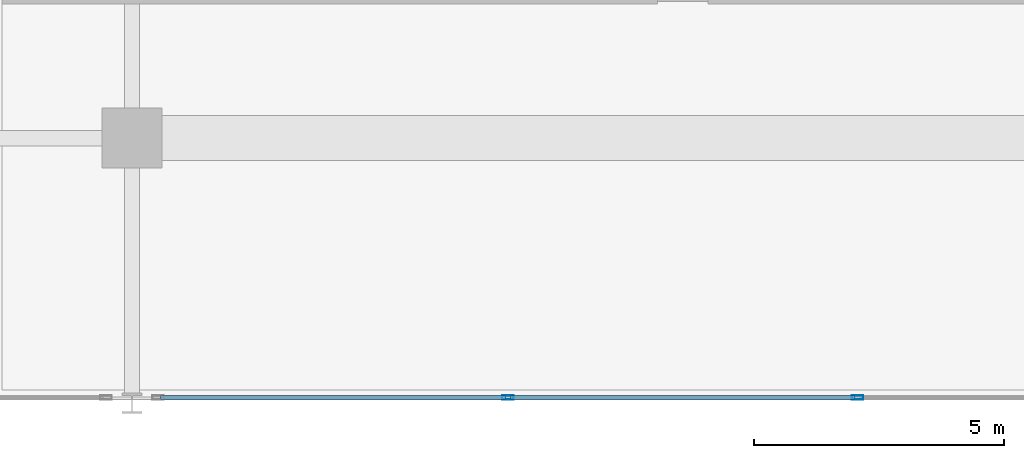
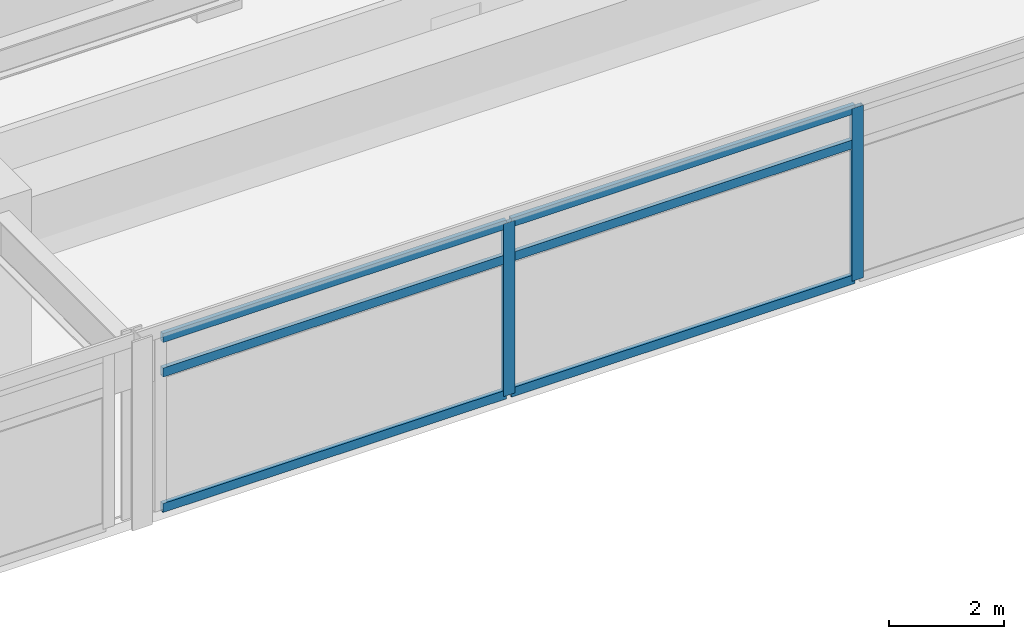
# One storey, part 4 of 20: 8 members, 1 element without a shape of its own.
"""IFC4 building model written with IfcOpenShell, lengths in metres."""

from ifc_helpers import new_model, si_unit, direction, frame, origin, origin_2d, place, context, subcontext, project, spatial, hollow_rectangle, extrude, material, material_profile, profile_set, type_object, element, aggregate, save


model = new_model("IFC4")

# Units and contexts
model_context = context("Model", 3, precision=1e-05, world=origin(), true_north=direction((0.0, 1.0)))
body_context = subcontext(model_context, "Body", "Model", "MODEL_VIEW")
ifc_project = project(units=[si_unit("LENGTHUNIT", "METRE"), si_unit("AREAUNIT", "SQUARE_METRE"), si_unit("VOLUMEUNIT", "CUBIC_METRE"), si_unit("PLANEANGLEUNIT", "RADIAN"), si_unit("MASSUNIT", "GRAM", prefix="KILO")], contexts=[model_context])

# Site, building, storey
site_placement = place(None, origin())
site = spatial("IfcSite", under=ifc_project, at=site_placement, CompositionType="ELEMENT")
building_placement = place(site_placement, origin())
building = spatial("IfcBuilding", under=site, at=building_placement, Name="Kovane Verandah Tower", CompositionType="ELEMENT")
storey_placement = place(building_placement, frame((0.0, 0.0, 291.199951171875)))
storey = spatial("IfcBuildingStorey", under=building, at=storey_placement, Name="L68", CompositionType="ELEMENT", Elevation=291.199951171875)

# Curtain wall, members
ifc_material_1 = material(Name="Champagne Anodised Aluminium Frame with Low-E Clear Laminated Glass", Category="aluminium")
curtain_wall_type = type_object("IfcCurtainWallType", Name="CW-SYS-05-HIGH", PredefinedType="NOTDEFINED", material=ifc_material_1)
curtain_wall_placement = place(storey_placement, origin())
curtain_wall = element("IfcCurtainWall", 1, at=curtain_wall_placement, inside=storey, type_object=curtain_wall_type, Name="L68 S Unitised Curtain Wall-2", PredefinedType="NOTDEFINED")
ifc_material_2 = material(Name="Champagne Anodised Aluminium 6063-T6", Category="aluminium")
ifc_material_profile_1 = material_profile(ifc_material_2, hollow_rectangle(XDim=0.0849609375, YDim=0.22998046875, WallThickness=0.00390625, at=origin_2d()), Name="AL85x230x4")
ifc_profile_set_1 = profile_set([ifc_material_profile_1], Name="Champagne Anodised Aluminium 6063-T6")
member_type_1 = type_object("IfcMemberType", Name="CW-MUL-85x230", PredefinedType="MULLION", material=ifc_profile_set_1)
member_1_placement = place(storey_placement, frame((36.506591796875, 5.619384765625, 0.02001953125), z_axis=(0.0, 0.0, 1.0), x_axis=(0.0, -1.0, 0.0)))
member_1 = element("IfcMember", 2, at=member_1_placement, type_object=member_type_1, Name="L68 S Unitised Curtain Wall-2 Mullion 2", PredefinedType="MULLION", context=body_context, shape_type="SweptSolid", body=[
    extrude(hollow_rectangle(XDim=0.0849609375, YDim=0.22998046875, WallThickness=0.00390625, at=origin_2d()), origin(), (0.0, 0.0, 1.0), 3.659912109375),
])
member_2_placement = place(storey_placement, frame((43.493408203125, 5.619384765625, 0.02001953125), z_axis=(0.0, 0.0, 1.0), x_axis=(0.0, -1.0, 0.0)))
member_2 = element("IfcMember", 3, at=member_2_placement, type_object=member_type_1, Name="L68 S Unitised Curtain Wall-2 Mullion 3", PredefinedType="MULLION", context=body_context, shape_type="SweptSolid", body=[
    extrude(hollow_rectangle(XDim=0.0849609375, YDim=0.22998046875, WallThickness=0.00390625, at=origin_2d()), origin(), (0.0, 0.0, 1.0), 3.659912109375),
])
ifc_material_profile_2 = material_profile(ifc_material_2, hollow_rectangle(XDim=0.0849609375, YDim=0.18994140625, WallThickness=0.00390625, at=origin_2d()), Name="AL85x190x4")
ifc_profile_set_2 = profile_set([ifc_material_profile_2], Name="Champagne Anodised Aluminium 6063-T6")
member_type_2 = type_object("IfcMemberType", Name="CW-TRN-85x190", PredefinedType="USERDEFINED", material=ifc_profile_set_2)
member_3_placement = place(storey_placement, frame((29.570068359375, 5.619384765625, 0.050048828125), z_axis=(1.0, 0.0, 0.0), x_axis=(0.0, 1.0, 0.0)))
member_3 = element("IfcMember", 4, at=member_3_placement, type_object=member_type_2, Name="L68 S Unitised Curtain Wall-2 Transom TB Bay 1", ObjectType="TRANSOM", PredefinedType="USERDEFINED", context=body_context, shape_type="SweptSolid", body=[
    extrude(hollow_rectangle(XDim=0.0849609375, YDim=0.18994140625, WallThickness=0.00390625, at=origin_2d()), origin(), (0.0, 0.0, 1.0), 6.88671875),
])
member_4_placement = place(storey_placement, frame((29.570068359375, 5.619384765625, 2.920166015625), z_axis=(1.0, 0.0, 0.0), x_axis=(0.0, 1.0, 0.0)))
member_4 = element("IfcMember", 5, at=member_4_placement, type_object=member_type_2, Name="L68 S Unitised Curtain Wall-2 Transom TM Bay 1", ObjectType="TRANSOM", PredefinedType="USERDEFINED", context=body_context, shape_type="SweptSolid", body=[
    extrude(hollow_rectangle(XDim=0.0849609375, YDim=0.18994140625, WallThickness=0.00390625, at=origin_2d()), origin(), (0.0, 0.0, 1.0), 6.88671875),
])
member_5_placement = place(storey_placement, frame((29.570068359375, 5.619384765625, 3.650146484375), z_axis=(1.0, 0.0, 0.0), x_axis=(0.0, 1.0, 0.0)))
member_5 = element("IfcMember", 6, at=member_5_placement, type_object=member_type_2, Name="L68 S Unitised Curtain Wall-2 Transom TT Bay 1", ObjectType="TRANSOM", PredefinedType="USERDEFINED", context=body_context, shape_type="SweptSolid", body=[
    extrude(hollow_rectangle(XDim=0.0849609375, YDim=0.18994140625, WallThickness=0.00390625, at=origin_2d()), origin(), (0.0, 0.0, 1.0), 6.88671875),
])
member_6_placement = place(storey_placement, frame((36.556640625, 5.619384765625, 0.050048828125), z_axis=(1.0, 0.0, 0.0), x_axis=(0.0, 1.0, 0.0)))
member_6 = element("IfcMember", 7, at=member_6_placement, type_object=member_type_2, Name="L68 S Unitised Curtain Wall-2 Transom TB Bay 2", ObjectType="TRANSOM", PredefinedType="USERDEFINED", context=body_context, shape_type="SweptSolid", body=[
    extrude(hollow_rectangle(XDim=0.0849609375, YDim=0.18994140625, WallThickness=0.00390625, at=origin_2d()), origin(), (0.0, 0.0, 1.0), 6.88671875),
])
member_7_placement = place(storey_placement, frame((36.556640625, 5.619384765625, 2.920166015625), z_axis=(1.0, 0.0, 0.0), x_axis=(0.0, 1.0, 0.0)))
member_7 = element("IfcMember", 8, at=member_7_placement, type_object=member_type_2, Name="L68 S Unitised Curtain Wall-2 Transom TM Bay 2", ObjectType="TRANSOM", PredefinedType="USERDEFINED", context=body_context, shape_type="SweptSolid", body=[
    extrude(hollow_rectangle(XDim=0.0849609375, YDim=0.18994140625, WallThickness=0.00390625, at=origin_2d()), origin(), (0.0, 0.0, 1.0), 6.88671875),
])
member_8_placement = place(storey_placement, frame((36.556640625, 5.619384765625, 3.650146484375), z_axis=(1.0, 0.0, 0.0), x_axis=(0.0, 1.0, 0.0)))
member_8 = element("IfcMember", 9, at=member_8_placement, type_object=member_type_2, Name="L68 S Unitised Curtain Wall-2 Transom TT Bay 2", ObjectType="TRANSOM", PredefinedType="USERDEFINED", context=body_context, shape_type="SweptSolid", body=[
    extrude(hollow_rectangle(XDim=0.0849609375, YDim=0.18994140625, WallThickness=0.00390625, at=origin_2d()), origin(), (0.0, 0.0, 1.0), 6.88671875),
])
aggregate(curtain_wall, [member_1, member_2, member_3, member_4, member_5, member_6, member_7, member_8])

save(model, "model.ifc")
